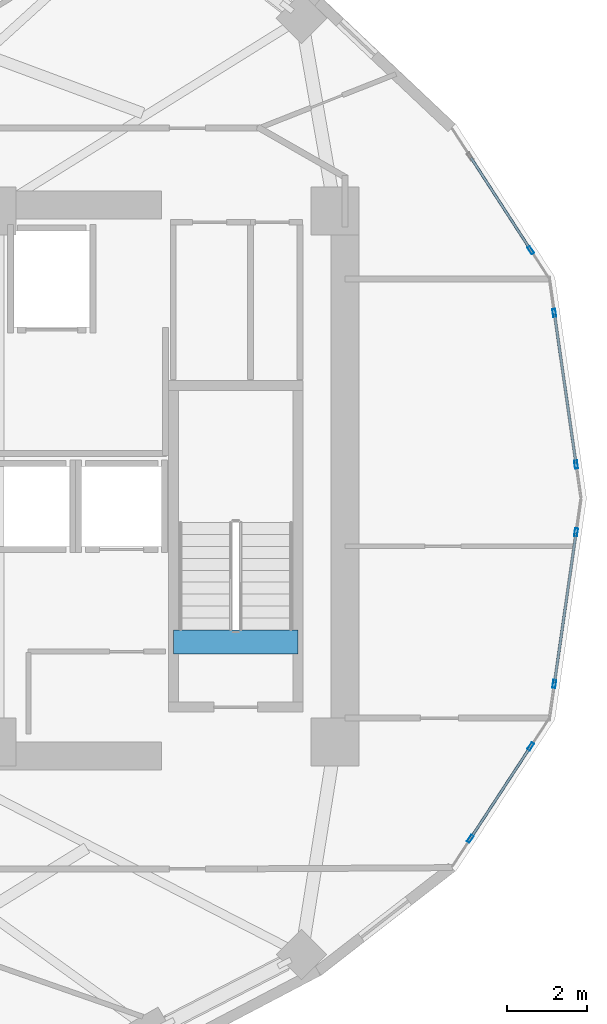
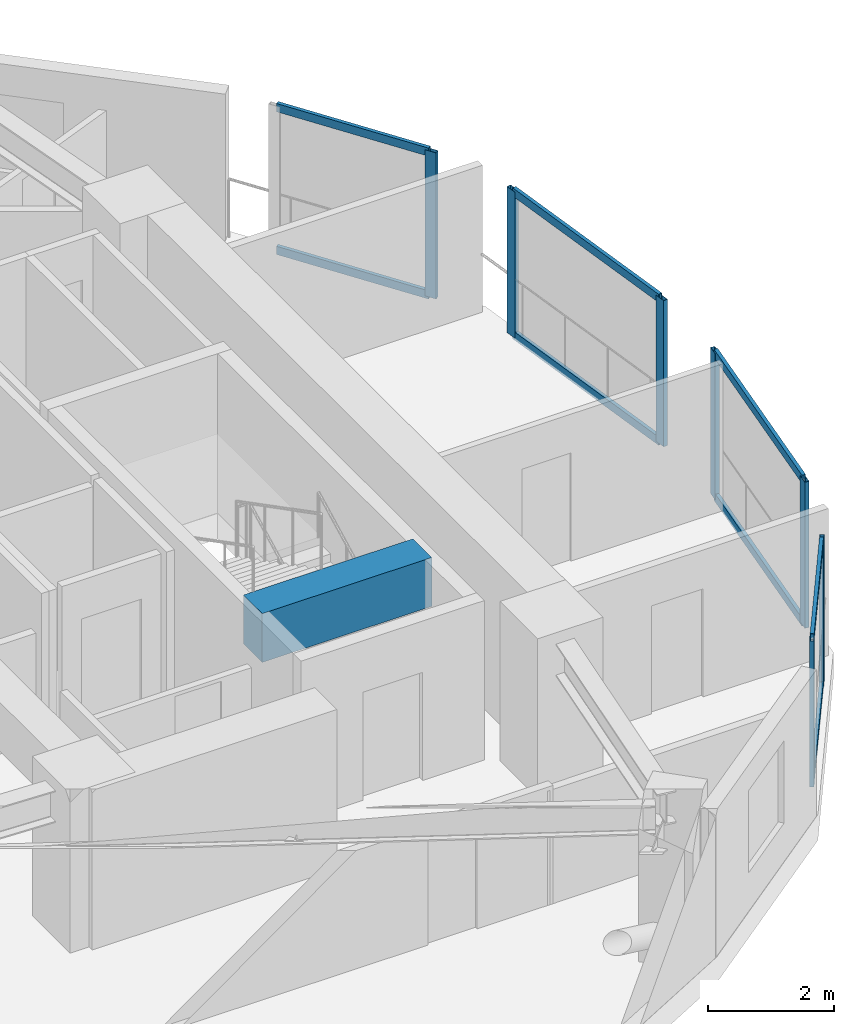
# One storey, part 3 of 13: 15 members, 1 beam, 4 elements without a shape of their own.
"""IFC4 building model written with IfcOpenShell, lengths in metres."""

from ifc_helpers import new_model, si_unit, direction, frame, origin, origin_2d, place, context, subcontext, project, spatial, rectangle, hollow_rectangle, extrude, material, layer, layer_set, material_profile, profile_set, type_object, element, aggregate, save


model = new_model("IFC4")

# Units and contexts
model_context = context("Model", 3, precision=1e-05, world=origin(), true_north=direction((0.0, 1.0)))
body_context = subcontext(model_context, "Body", "Model", "MODEL_VIEW")
ifc_project = project(units=[si_unit("LENGTHUNIT", "METRE"), si_unit("AREAUNIT", "SQUARE_METRE"), si_unit("VOLUMEUNIT", "CUBIC_METRE"), si_unit("PLANEANGLEUNIT", "RADIAN"), si_unit("MASSUNIT", "GRAM", prefix="KILO")], contexts=[model_context])

# Site, building, storey
site_placement = place(None, origin())
site = spatial("IfcSite", under=ifc_project, at=site_placement, CompositionType="ELEMENT")
building_placement = place(site_placement, origin())
building = spatial("IfcBuilding", under=site, at=building_placement, Name="Solvane Sanctuary Tower", CompositionType="ELEMENT")
storey_placement = place(building_placement, frame((0.0, 0.0, 152.89990234375)))
storey = spatial("IfcBuildingStorey", under=building, at=storey_placement, Name="L46", CompositionType="ELEMENT", Elevation=152.89990234375)

# Beam
ifc_material_1 = material(Name="Concrete C70/85", Category="concrete")
ifc_material_profile_1 = material_profile(ifc_material_1, rectangle(XDim=0.60009765625, YDim=0.949951171875, at=origin_2d()), Name="RC600X950")
ifc_profile_set_1 = profile_set([ifc_material_profile_1], Name="Concrete C70/85")
beam_type = type_object("IfcBeamType", Name="Beam B-COUPLE RC600X950", PredefinedType="LINTEL", material=ifc_profile_set_1)
beam_placement = place(storey_placement, frame((44.64990234375, 19.399169921875, 2.625), z_axis=(1.0, 0.0, 0.0), x_axis=(0.0, 1.0, 0.0)))
element("IfcBeam", 1, at=beam_placement, inside=storey, type_object=beam_type, Name="L46 ST-2 Stair Floor Landing Trimmer", PredefinedType="LINTEL", context=body_context, shape_type="SweptSolid", body=[
    extrude(rectangle(XDim=0.60009765625, YDim=0.949951171875, at=origin_2d()), origin(), (0.0, 0.0, 1.0), 3.1201171875),
])

# Curtain wall, members
ifc_material_2 = material(Name="Anodised Aluminium 6063-T6", Category="aluminium")
ifc_layer = layer(ifc_material_2, 0.2099609375, Name="Anodised Aluminium 6063-T6")
ifc_layer_set = layer_set([ifc_layer], Name="Anodised Aluminium 6063-T6")
curtain_wall_type = type_object("IfcCurtainWallType", Name="Curtain Wall CW-PORTAL", PredefinedType="NOTDEFINED", material=ifc_layer_set)
curtain_wall_1_placement = place(storey_placement, origin())
curtain_wall_1 = element("IfcCurtainWall", 2, at=curtain_wall_1_placement, inside=storey, type_object=curtain_wall_type, Name="L46 CW-PORTAL Facade Run 00", PredefinedType="NOTDEFINED")
ifc_material_profile_2 = material_profile(ifc_material_2, hollow_rectangle(XDim=0.074951171875, YDim=0.199951171875, WallThickness=0.00390625, at=origin_2d()), Name="ALU200X75X4")
ifc_profile_set_2 = profile_set([ifc_material_profile_2], Name="Anodised Aluminium 6063-T6")
member_type_1 = type_object("IfcMemberType", Name="Member M-CW-MUL-1 ALU200X75X4", PredefinedType="MULLION", material=ifc_profile_set_2)
member_1_placement = place(storey_placement, frame((54.738037109375, 23.848876953125, 0.0), z_axis=(0.0, 0.0, 1.0), x_axis=(-0.989831077342, -0.142247806053, 0.0)))
member_1 = element("IfcMember", 3, at=member_1_placement, type_object=member_type_1, Name="CW-PORTAL mullion 1", PredefinedType="MULLION", context=body_context, shape_type="SweptSolid", body=[
    extrude(hollow_rectangle(XDim=0.074951171875, YDim=0.199951171875, WallThickness=0.00390625, at=origin_2d()), origin(), (0.0, 0.0, 1.0), 2.840087890625),
])
member_2_placement = place(storey_placement, frame((54.192138671875, 27.647705078125, 0.0), z_axis=(0.0, 0.0, 1.0), x_axis=(-0.989831077342, -0.142247806053, 0.0)))
member_2 = element("IfcMember", 4, at=member_2_placement, type_object=member_type_1, Name="CW-PORTAL mullion 2", PredefinedType="MULLION", context=body_context, shape_type="SweptSolid", body=[
    extrude(hollow_rectangle(XDim=0.074951171875, YDim=0.199951171875, WallThickness=0.00390625, at=origin_2d()), origin(), (0.0, 0.0, 1.0), 2.840087890625),
])

# Curtain wall, member
curtain_wall_2_placement = place(storey_placement, origin())
curtain_wall_2 = element("IfcCurtainWall", 5, at=curtain_wall_2_placement, inside=storey, type_object=curtain_wall_type, Name="L46 CW-PORTAL Facade Run 01", PredefinedType="NOTDEFINED")
member_3_placement = place(storey_placement, frame((53.604248046875, 29.21630859375, 0.0), z_axis=(0.0, 0.0, 1.0), x_axis=(-0.839512220128, -0.543340806728, 0.0)))
member_3 = element("IfcMember", 6, at=member_3_placement, type_object=member_type_1, Name="CW-PORTAL mullion 1", PredefinedType="MULLION", context=body_context, shape_type="SweptSolid", body=[
    extrude(hollow_rectangle(XDim=0.074951171875, YDim=0.199951171875, WallThickness=0.00390625, at=origin_2d()), origin(), (0.0, 0.0, 1.0), 2.840087890625),
])

# Curtain wall, members
curtain_wall_3_placement = place(storey_placement, origin())
curtain_wall_3 = element("IfcCurtainWall", 7, at=curtain_wall_3_placement, inside=storey, type_object=curtain_wall_type, Name="L46 CW-PORTAL Facade Run 22", PredefinedType="NOTDEFINED")
member_4_placement = place(storey_placement, frame((52.088623046875, 14.47412109375, 0.0), z_axis=(0.0, 0.0, 1.0), x_axis=(-0.836849767027, 0.547432614507, 0.0)))
member_4 = element("IfcMember", 8, at=member_4_placement, type_object=member_type_1, Name="CW-PORTAL mullion 1", PredefinedType="MULLION", context=body_context, shape_type="SweptSolid", body=[
    extrude(hollow_rectangle(XDim=0.074951171875, YDim=0.199951171875, WallThickness=0.00390625, at=origin_2d()), origin(), (0.0, 0.0, 1.0), 2.840087890625),
])
member_5_placement = place(storey_placement, frame((53.600830078125, 16.785888671875, 0.0), z_axis=(0.0, 0.0, 1.0), x_axis=(-0.836849767027, 0.547432614507, 0.0)))
member_5 = element("IfcMember", 9, at=member_5_placement, type_object=member_type_1, Name="CW-PORTAL mullion 2", PredefinedType="MULLION", context=body_context, shape_type="SweptSolid", body=[
    extrude(hollow_rectangle(XDim=0.074951171875, YDim=0.199951171875, WallThickness=0.00390625, at=origin_2d()), origin(), (0.0, 0.0, 1.0), 2.840087890625),
])

curtain_wall_4_placement = place(storey_placement, origin())
curtain_wall_4 = element("IfcCurtainWall", 10, at=curtain_wall_4_placement, inside=storey, type_object=curtain_wall_type, Name="L46 CW-PORTAL Facade Run 23", PredefinedType="NOTDEFINED")
member_6_placement = place(storey_placement, frame((54.192138671875, 18.352294921875, 0.0), z_axis=(0.0, 0.0, 1.0), x_axis=(-0.989831077342, 0.142247806053, 0.0)))
member_6 = element("IfcMember", 11, at=member_6_placement, type_object=member_type_1, Name="CW-PORTAL mullion 1", PredefinedType="MULLION", context=body_context, shape_type="SweptSolid", body=[
    extrude(hollow_rectangle(XDim=0.074951171875, YDim=0.199951171875, WallThickness=0.00390625, at=origin_2d()), origin(), (0.0, 0.0, 1.0), 2.840087890625),
])
member_7_placement = place(storey_placement, frame((54.738037109375, 22.151123046875, 0.0), z_axis=(0.0, 0.0, 1.0), x_axis=(-0.989831077342, 0.142247806053, 0.0)))
member_7 = element("IfcMember", 12, at=member_7_placement, type_object=member_type_1, Name="CW-PORTAL mullion 2", PredefinedType="MULLION", context=body_context, shape_type="SweptSolid", body=[
    extrude(hollow_rectangle(XDim=0.074951171875, YDim=0.199951171875, WallThickness=0.00390625, at=origin_2d()), origin(), (0.0, 0.0, 1.0), 2.840087890625),
])

# Member
ifc_material_profile_3 = material_profile(ifc_material_2, hollow_rectangle(XDim=0.06494140625, YDim=0.159912109375, WallThickness=0.00341796875, at=origin_2d()), Name="ALU160X65X3.5")
ifc_profile_set_3 = profile_set([ifc_material_profile_3], Name="Anodised Aluminium 6063-T6")
member_type_2 = type_object("IfcMemberType", Name="Member M-CW-TRN-1 ALU160X65X3.5", PredefinedType="USERDEFINED", material=ifc_profile_set_3)
member_8_placement = place(storey_placement, frame((54.732666015625, 23.885986328125, 0.03271484375), z_axis=(-0.142220652488, 0.989834979179, 0.0), x_axis=(-0.989834979179, -0.142220652488, 0.0)))
member_8 = element("IfcMember", 13, at=member_8_placement, type_object=member_type_2, Name="CW-PORTAL transom 1.1", ObjectType="TRANSOM", PredefinedType="USERDEFINED", context=body_context, shape_type="SweptSolid", body=[
    extrude(hollow_rectangle(XDim=0.06494140625, YDim=0.159912109375, WallThickness=0.00341796875, at=origin_2d()), origin(), (0.0, 0.0, 1.0), 3.762939453125),
])

member_9_placement = place(storey_placement, frame((54.732666015625, 23.885986328125, 2.8076171875), z_axis=(-0.142220652488, 0.989834979179, 0.0), x_axis=(-0.989834979179, -0.142220652488, 0.0)))
member_9 = element("IfcMember", 14, at=member_9_placement, type_object=member_type_2, Name="CW-PORTAL transom 1.2", ObjectType="TRANSOM", PredefinedType="USERDEFINED", context=body_context, shape_type="SweptSolid", body=[
    extrude(hollow_rectangle(XDim=0.06494140625, YDim=0.159912109375, WallThickness=0.00341796875, at=origin_2d()), origin(), (0.0, 0.0, 1.0), 3.762939453125),
])

aggregate(curtain_wall_1, [member_1, member_2, member_8, member_9])

member_10_placement = place(storey_placement, frame((53.583984375, 29.247802734375, 0.03271484375), z_axis=(-0.543303354551, 0.83953645837, 0.0), x_axis=(-0.83953645837, -0.543303354551, 0.0)))
member_10 = element("IfcMember", 15, at=member_10_placement, type_object=member_type_2, Name="CW-PORTAL transom 1.1", ObjectType="TRANSOM", PredefinedType="USERDEFINED", context=body_context, shape_type="SweptSolid", body=[
    extrude(hollow_rectangle(XDim=0.06494140625, YDim=0.159912109375, WallThickness=0.00341796875, at=origin_2d()), origin(), (0.0, 0.0, 1.0), 2.721435546875),
])

member_11_placement = place(storey_placement, frame((53.583984375, 29.247802734375, 2.8076171875), z_axis=(-0.543303354551, 0.83953645837, 0.0), x_axis=(-0.83953645837, -0.543303354551, 0.0)))
member_11 = element("IfcMember", 16, at=member_11_placement, type_object=member_type_2, Name="CW-PORTAL transom 1.2", ObjectType="TRANSOM", PredefinedType="USERDEFINED", context=body_context, shape_type="SweptSolid", body=[
    extrude(hollow_rectangle(XDim=0.06494140625, YDim=0.159912109375, WallThickness=0.00341796875, at=origin_2d()), origin(), (0.0, 0.0, 1.0), 2.721435546875),
])

aggregate(curtain_wall_2, [member_3, member_10, member_11])

member_12_placement = place(storey_placement, frame((52.109130859375, 14.505615234375, 0.03271484375), z_axis=(0.547425578681, 0.836854369533, 0.0), x_axis=(-0.836854369533, 0.547425578681, 0.0)))
member_12 = element("IfcMember", 17, at=member_12_placement, type_object=member_type_2, Name="CW-PORTAL transom 1.1", ObjectType="TRANSOM", PredefinedType="USERDEFINED", context=body_context, shape_type="SweptSolid", body=[
    extrude(hollow_rectangle(XDim=0.06494140625, YDim=0.159912109375, WallThickness=0.00341796875, at=origin_2d()), origin(), (0.0, 0.0, 1.0), 2.6875),
])

member_13_placement = place(storey_placement, frame((52.109130859375, 14.505615234375, 2.8076171875), z_axis=(0.547425578681, 0.836854369533, 0.0), x_axis=(-0.836854369533, 0.547425578681, 0.0)))
member_13 = element("IfcMember", 18, at=member_13_placement, type_object=member_type_2, Name="CW-PORTAL transom 1.2", ObjectType="TRANSOM", PredefinedType="USERDEFINED", context=body_context, shape_type="SweptSolid", body=[
    extrude(hollow_rectangle(XDim=0.06494140625, YDim=0.159912109375, WallThickness=0.00341796875, at=origin_2d()), origin(), (0.0, 0.0, 1.0), 2.6875),
])

aggregate(curtain_wall_3, [member_4, member_5, member_12, member_13])

member_14_placement = place(storey_placement, frame((54.197509765625, 18.389404296875, 0.03271484375), z_axis=(0.142220652488, 0.989834979179, 0.0), x_axis=(-0.989834979179, 0.142220652488, 0.0)))
member_14 = element("IfcMember", 19, at=member_14_placement, type_object=member_type_2, Name="CW-PORTAL transom 1.1", ObjectType="TRANSOM", PredefinedType="USERDEFINED", context=body_context, shape_type="SweptSolid", body=[
    extrude(hollow_rectangle(XDim=0.06494140625, YDim=0.159912109375, WallThickness=0.00341796875, at=origin_2d()), origin(), (0.0, 0.0, 1.0), 3.762939453125),
])

member_15_placement = place(storey_placement, frame((54.197509765625, 18.389404296875, 2.8076171875), z_axis=(0.142220652488, 0.989834979179, 0.0), x_axis=(-0.989834979179, 0.142220652488, 0.0)))
member_15 = element("IfcMember", 20, at=member_15_placement, type_object=member_type_2, Name="CW-PORTAL transom 1.2", ObjectType="TRANSOM", PredefinedType="USERDEFINED", context=body_context, shape_type="SweptSolid", body=[
    extrude(hollow_rectangle(XDim=0.06494140625, YDim=0.159912109375, WallThickness=0.00341796875, at=origin_2d()), origin(), (0.0, 0.0, 1.0), 3.762939453125),
])

aggregate(curtain_wall_4, [member_6, member_7, member_14, member_15])

save(model, "model.ifc")
